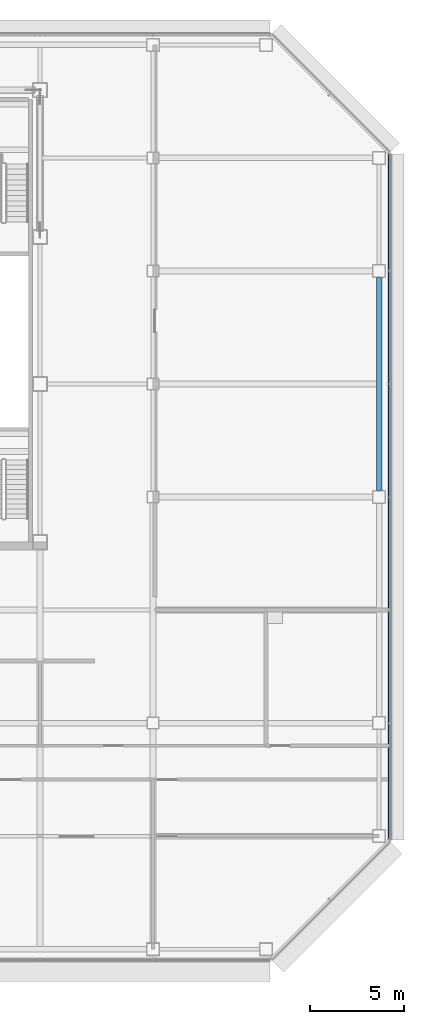
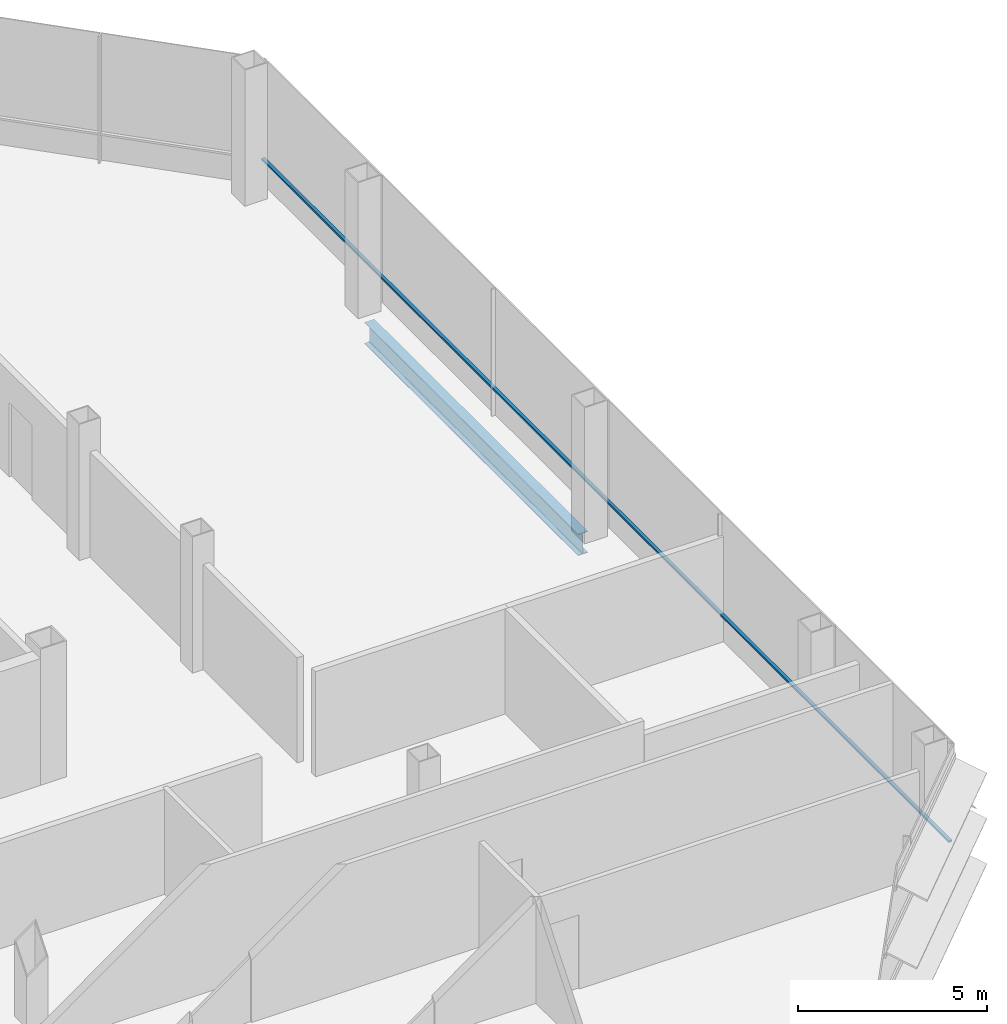
# One storey, part 16 of 26: 1 beam, 1 member, 1 element without a shape of its own.
"""IFC4 building model written with IfcOpenShell, lengths in metres."""

from ifc_helpers import new_model, si_unit, direction, frame, origin, origin_2d, place, context, subcontext, project, spatial, rectangle, i_section, extrude, material, material_profile, profile_set, type_object, element, aggregate, save


model = new_model("IFC4")

# Units and contexts
model_context = context("Model", 3, precision=1e-05, world=origin(), true_north=direction((0.0, 1.0)))
body_context = subcontext(model_context, "Body", "Model", "MODEL_VIEW")
ifc_project = project(units=[si_unit("LENGTHUNIT", "METRE"), si_unit("AREAUNIT", "SQUARE_METRE"), si_unit("VOLUMEUNIT", "CUBIC_METRE"), si_unit("PLANEANGLEUNIT", "RADIAN"), si_unit("MASSUNIT", "GRAM", prefix="KILO")], contexts=[model_context])

# Site, building, storey
site_placement = place(None, origin())
site = spatial("IfcSite", under=ifc_project, at=site_placement, CompositionType="ELEMENT")
building_placement = place(site_placement, origin())
building = spatial("IfcBuilding", under=site, at=building_placement, Name="Sorahane Residences", CompositionType="ELEMENT")
storey_placement = place(building_placement, frame((0.0, 0.0, 181.60009765625)))
storey = spatial("IfcBuildingStorey", under=building, at=storey_placement, Name="L42", CompositionType="ELEMENT", Elevation=181.60009765625)

# Curtain wall, member
ifc_material_1 = material(Name="Dark low-e glass and black anodised aluminium", Category="aluminium")
curtain_wall_type = type_object("IfcCurtainWallType", Name="Curtain wall CW-1 Typical unitised wall", PredefinedType="NOTDEFINED", material=ifc_material_1)
curtain_wall_placement = place(storey_placement, origin())
curtain_wall = element("IfcCurtainWall", 1, at=curtain_wall_placement, inside=storey, type_object=curtain_wall_type, Name="CW-1 curtain wall L42 E1", PredefinedType="NOTDEFINED")
ifc_material_2 = material(Name="Black anodised aluminium", Category="aluminium")
ifc_material_profile_1 = material_profile(ifc_material_2, rectangle(XDim=0.10009765625, YDim=0.06005859375, at=origin_2d()), Name="Curtain wall transom CW-1 black anodised aluminium 60x100")
ifc_profile_set_1 = profile_set([ifc_material_profile_1], Name="Black anodised aluminium")
member_type = type_object("IfcMemberType", Name="Curtain wall transom CW-1 black anodised aluminium 60x100", PredefinedType="USERDEFINED", material=ifc_profile_set_1)
member_placement = place(storey_placement, frame((60.530029296875, 5.801513671875, 0.89990234375), z_axis=(0.0, 1.0, 0.0), x_axis=(-1.0, 0.0, 0.0)))
member = element("IfcMember", 2, at=member_placement, type_object=member_type, Name="CW-1 transom L42 E1", ObjectType="TRANSOM", PredefinedType="USERDEFINED", context=body_context, shape_type="SweptSolid", body=[
    extrude(rectangle(XDim=0.10009765625, YDim=0.06005859375, at=origin_2d()), origin(), (0.0, 0.0, 1.0), 36.39697265625),
])
aggregate(curtain_wall, [member])

# Beam
ifc_material_3 = material(Name="Steel Q355B", Category="steel")
ifc_material_profile_2 = material_profile(ifc_material_3, i_section(OverallWidth=0.300048828125, OverallDepth=0.699951171875, WebThickness=0.012939453125, FlangeThickness=0.02392578125, FilletRadius=0.028076171875, at=origin_2d()), Name="HN 700x300x13x24")
ifc_profile_set_2 = profile_set([ifc_material_profile_2], Name="Steel Q355B")
beam_type = type_object("IfcBeamType", Name="Steel floor beam HN 700x300x13x24 Q355B", PredefinedType="BEAM", material=ifc_profile_set_2)
beam_placement = place(storey_placement, frame((60.0, 24.35009765625, -0.530029296875), z_axis=(0.0, 1.0, 0.0), x_axis=(-1.0, 0.0, 0.0)))
element("IfcBeam", 3, at=beam_placement, inside=storey, type_object=beam_type, Name="Beam L42 066", PredefinedType="BEAM", context=body_context, shape_type="SweptSolid", body=[
    extrude(i_section(OverallWidth=0.300048828125, OverallDepth=0.699951171875, WebThickness=0.012939453125, FlangeThickness=0.02392578125, FilletRadius=0.028076171875, at=origin_2d()), origin(), (0.0, 0.0, 1.0), 11.2998046875),
])

save(model, "model.ifc")
